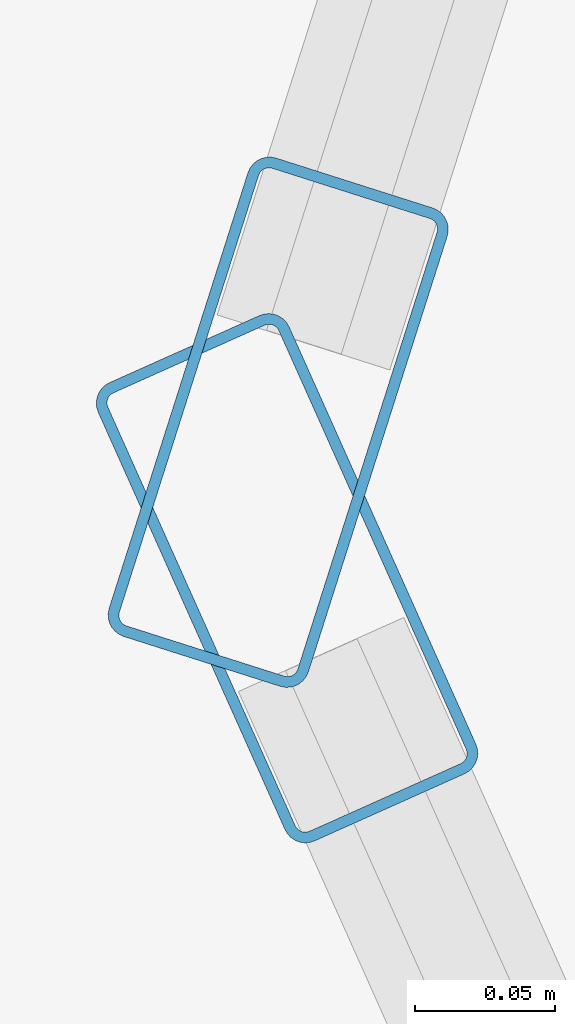
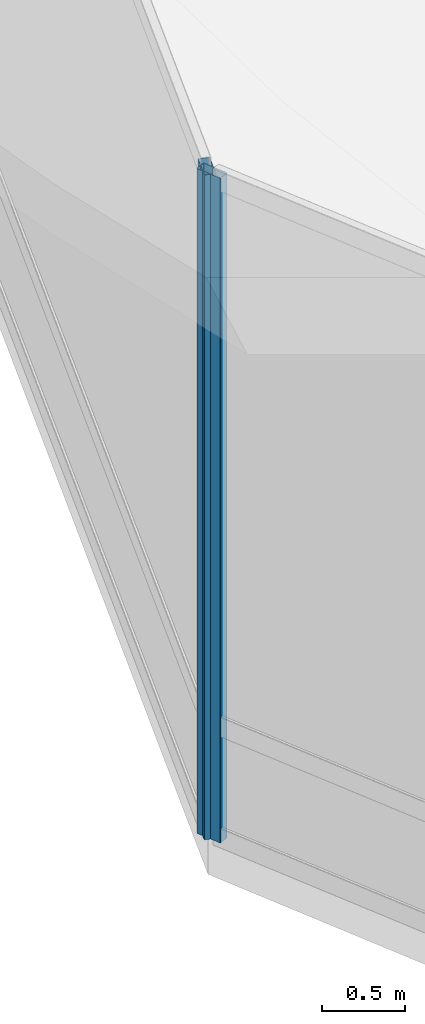
# One storey, part 6 of 19: 2 members, 2 elements without a shape of their own.
"""IFC4 building model written with IfcOpenShell, lengths in metres."""

import ifcopenshell
import ifcopenshell.guid

model = None  # the IFC model being written
_history = None  # IfcOwnerHistory: only IFC2X3 demands one
_inside = {}  # id of a spatial element -> (the spatial element, [elements in it])
_under = {}  # id of a project, library or spatial element -> (it, [spatial elements below it])
_declared = {}  # id of a project -> (the project, [libraries it declares])
_typed = {}  # id of a type object -> (the type object, [elements of that type])
_made_of = {}  # id of a material, layer set ... -> (it, [elements and type objects made of it])


def new_model(schema):
    """Start an empty IFC model of exactly this schema.

    Asked for "IFC4X3", IfcOpenShell would pick the latest addendum, in which some entities
    have other attributes; the version numbers below select the first issue.
    IFC2X3 requires an IfcOwnerHistory on every rooted entity: one is made here for all.
    """
    global model, _history
    if schema == "IFC4X3":
        model = ifcopenshell.file(schema_version=(4, 3, 0, 0))
    else:
        model = ifcopenshell.file(schema=schema)
    _inside.clear()
    _under.clear()
    _declared.clear()
    _typed.clear()
    _made_of.clear()
    _history = None
    if model.schema == "IFC2X3":
        org = make("IfcOrganization", Name="unknown")
        user = make(
            "IfcPersonAndOrganization",
            ThePerson=make("IfcPerson", FamilyName="unknown"),
            TheOrganization=org,
        )
        app = make(
            "IfcApplication",
            ApplicationDeveloper=org,
            Version="unknown",
            ApplicationFullName="unknown",
            ApplicationIdentifier="unknown",
        )
        _history = make(
            "IfcOwnerHistory",
            OwningUser=user,
            OwningApplication=app,
            ChangeAction="ADDED",
            CreationDate=0,
        )
    return model


def make(cls, **values):
    """One entity of the class cls with the attributes given. An attribute that is None is left unset."""
    return model.create_entity(
        cls, **{name: value for name, value in values.items() if value is not None}
    )


def rooted(cls, **values):
    """An entity with a GlobalId (a new one), such as an element, a storey or a relation."""
    return make(cls, GlobalId=ifcopenshell.guid.new(), OwnerHistory=_history, **values)


def si_unit(unit_type, name, prefix=None):
    """IfcSIUnit, for example si_unit("LENGTHUNIT", "METRE", prefix="MILLI")."""
    return make("IfcSIUnit", UnitType=unit_type, Prefix=prefix, Name=name)


def assignment(units):
    """IfcUnitAssignment: the units of a project."""
    return None if units is None else make("IfcUnitAssignment", Units=units)


def point(xyz):
    """IfcCartesianPoint."""
    return None if xyz is None else make("IfcCartesianPoint", Coordinates=xyz)


def direction(xyz):
    """IfcDirection."""
    return None if xyz is None else make("IfcDirection", DirectionRatios=xyz)


def frame(location, z_axis=None, x_axis=None):
    """IfcAxis2Placement3D, a coordinate frame: its origin and axes. An axis left out is left unset."""
    return make(
        "IfcAxis2Placement3D",
        Location=point(location),
        Axis=direction(z_axis),
        RefDirection=direction(x_axis),
    )


def frame_2d(location, x_axis=None):
    """IfcAxis2Placement2D, a coordinate frame in the plane: its origin and x axis."""
    return make(
        "IfcAxis2Placement2D", Location=point(location), RefDirection=direction(x_axis)
    )


def origin():
    """The frame at (0, 0, 0) with its axes left unset."""
    return frame((0.0, 0.0, 0.0))


def origin_2d():
    """The frame at (0, 0) in the plane with its x axis left unset."""
    return frame_2d((0.0, 0.0))


def place(relative_to, where):
    """IfcLocalPlacement: puts the frame where relative to a parent placement (None: the world)."""
    return make(
        "IfcLocalPlacement", PlacementRelTo=relative_to, RelativePlacement=where
    )


def context(
    kind, dimensions, precision=None, world=None, true_north=None, identifier=None
):
    """IfcGeometricRepresentationContext, for example the 3D "Model" context."""
    return make(
        "IfcGeometricRepresentationContext",
        ContextIdentifier=identifier,
        ContextType=kind,
        CoordinateSpaceDimension=dimensions,
        Precision=precision,
        WorldCoordinateSystem=world,
        TrueNorth=true_north,
    )


def subcontext(parent, identifier, kind, view, scale=None):
    """IfcGeometricRepresentationSubContext, for example "Body" below "Model"."""
    return make(
        "IfcGeometricRepresentationSubContext",
        ContextIdentifier=identifier,
        ContextType=kind,
        ParentContext=parent,
        TargetScale=scale,
        TargetView=view,
    )


def project(units=None, contexts=None):
    """IfcProject with its units and contexts."""
    return rooted(
        "IfcProject",
        Name="project",
        RepresentationContexts=contexts,
        UnitsInContext=assignment(units),
    )


def spatial(cls, under=None, at=None, **own):
    """A site, building, storey or space (cls), placed at a placement, below another one or the project."""
    s = rooted(cls, ObjectPlacement=at, **own)
    if under is not None:
        _under.setdefault(under.id(), (under, []))[1].append(s)
    return s


def profile(cls, at=None, kind="AREA", **sizes):
    """A parametric profile (cls). Its sizes go by their IFC names, for example OverallWidth=200.0."""
    return make(cls, ProfileType=kind, Position=at, **sizes)


def hollow_rectangle(**sizes):
    """IfcRectangleHollowProfileDef."""
    return profile("IfcRectangleHollowProfileDef", **sizes)


def extrude(swept, where, along, depth):
    """IfcExtrudedAreaSolid: the profile swept, set in the frame where, extruded along a direction by depth."""
    return make(
        "IfcExtrudedAreaSolid",
        SweptArea=swept,
        Position=where,
        ExtrudedDirection=direction(along),
        Depth=depth,
    )


def shape(context_of_items, identifier, shape_type, items):
    """IfcShapeRepresentation: the items that make up one representation, for example the "Body"."""
    return make(
        "IfcShapeRepresentation",
        ContextOfItems=context_of_items,
        RepresentationIdentifier=identifier,
        RepresentationType=shape_type,
        Items=items,
    )


def material(Name=None, Category=None):
    """IfcMaterial."""
    return make("IfcMaterial", Name=Name, Category=Category)


def layer(
    of_material, thickness, ventilated=None, Name=None, Category=None, Priority=None
):
    """IfcMaterialLayer: one layer of a wall or slab, of a material (None: an air gap)."""
    return make(
        "IfcMaterialLayer",
        Material=of_material,
        LayerThickness=thickness,
        IsVentilated=ventilated,
        Name=Name,
        Category=Category,
        Priority=Priority,
    )


def layer_set(layers, Name=None):
    """IfcMaterialLayerSet."""
    return make("IfcMaterialLayerSet", MaterialLayers=layers, LayerSetName=Name)


def material_profile(
    of_material, cross_section, Name=None, Category=None, Priority=None
):
    """IfcMaterialProfile: a cross section and its material."""
    return make(
        "IfcMaterialProfile",
        Name=Name,
        Material=of_material,
        Profile=cross_section,
        Priority=Priority,
        Category=Category,
    )


def profile_set(profiles, Name=None, composite=None):
    """IfcMaterialProfileSet."""
    return make(
        "IfcMaterialProfileSet",
        Name=Name,
        MaterialProfiles=profiles,
        CompositeProfile=composite,
    )


def made_of(thing, what):
    """Note that an element or type object is made of a material, layer set ...; save() writes the relation."""
    if what is not None:
        _made_of.setdefault(what.id(), (what, []))[1].append(thing)
    return thing


def type_object(cls, material=None, **own):
    """A type object (cls), such as IfcWallType, which elements share."""
    return made_of(rooted(cls, **own), material)


def element(
    cls,
    number,
    at=None,
    inside=None,
    cuts=None,
    type_object=None,
    material=None,
    context=None,
    identifier="Body",
    shape_type=None,
    held_by="IfcProductDefinitionShape",
    body=None,
    shapes=None,
    **own,
):
    """One element of the class cls, such as IfcWall. Its Tag is "e" and its number.

    at: its placement. inside: the storey or other place that contains it. cuts: it is an
    opening in that element (IfcRelVoidsElement). A single representation is given by context,
    identifier, shape_type and body (its items); several are given by shapes. held_by: the class
    of the entity that holds the representations. save() writes the other relations.
    """
    e = rooted(cls, Tag="e%d" % number, ObjectPlacement=at, **own)
    if body is not None:
        shapes = [shape(context, identifier, shape_type, body)]
    if shapes is not None:
        e.Representation = make(held_by, Representations=shapes)
    if inside is not None:
        _inside.setdefault(inside.id(), (inside, []))[1].append(e)
    if cuts is not None:
        rooted(
            "IfcRelVoidsElement", RelatingBuildingElement=cuts, RelatedOpeningElement=e
        )
    if type_object is not None:
        _typed.setdefault(type_object.id(), (type_object, []))[1].append(e)
    return made_of(e, material)


def aggregate(whole, parts):
    """IfcRelAggregates: a whole, such as a stair, and the parts it consists of."""
    return rooted("IfcRelAggregates", RelatingObject=whole, RelatedObjects=parts)


def save(model, path):
    """Write the relations noted so far, then the file.

    IfcRelAggregates (storeys below a building ...), IfcRelContainedInSpatialStructure (elements
    in a storey), IfcRelDefinesByType, IfcRelAssociatesMaterial and IfcRelDeclares: one each for
    every whole, place, type object, material and project.
    """
    for whole, parts in _under.values():
        aggregate(whole, parts)
    for where, things in _inside.values():
        rooted(
            "IfcRelContainedInSpatialStructure",
            RelatedElements=things,
            RelatingStructure=where,
        )
    for kind, things in _typed.values():
        rooted("IfcRelDefinesByType", RelatedObjects=things, RelatingType=kind)
    for what, things in _made_of.values():
        rooted("IfcRelAssociatesMaterial", RelatedObjects=things, RelatingMaterial=what)
    for by, libraries in _declared.values():
        rooted("IfcRelDeclares", RelatingContext=by, RelatedDefinitions=libraries)
    model.write(path)


model = new_model("IFC4")

# Units and contexts
model_context = context("Model", 3, precision=1e-05, world=origin(), true_north=direction((0.0, 1.0)))
body_context = subcontext(model_context, "Body", "Model", "MODEL_VIEW")
ifc_project = project(units=[si_unit("LENGTHUNIT", "METRE"), si_unit("AREAUNIT", "SQUARE_METRE"), si_unit("VOLUMEUNIT", "CUBIC_METRE"), si_unit("PLANEANGLEUNIT", "RADIAN"), si_unit("MASSUNIT", "GRAM", prefix="KILO")], contexts=[model_context])

# Site, building, storey
site_placement = place(None, origin())
site = spatial("IfcSite", under=ifc_project, at=site_placement, CompositionType="ELEMENT")
building_placement = place(site_placement, origin())
building = spatial("IfcBuilding", under=site, at=building_placement, Name="Solvaryn Broadcast Tower", CompositionType="ELEMENT")
storey_placement = place(building_placement, frame((0.0, 0.0, 302.60009765625)))
storey = spatial("IfcBuildingStorey", under=building, at=storey_placement, Name="L76", CompositionType="ELEMENT", Elevation=302.60009765625)

# Curtain wall, member
ifc_material_1 = material(Name="Aluminium and Terracotta Unitised Curtain Wall", Category="masonry")
ifc_layer = layer(ifc_material_1, 0.260009765625)
ifc_layer_set = layer_set([ifc_layer], Name="CW-SYS5-DAMPER")
curtain_wall_type = type_object("IfcCurtainWallType", Name="CW-SYS5-DAMPER", PredefinedType="NOTDEFINED", material=ifc_layer_set)
curtain_wall_1_placement = place(storey_placement, origin())
curtain_wall_1 = element("IfcCurtainWall", 1, at=curtain_wall_1_placement, inside=storey, type_object=curtain_wall_type, Name="L76 Curtain Wall DR1", PredefinedType="NOTDEFINED")
ifc_material_2 = material(Name="Anodised Aluminium 6063-T6", Category="aluminium")
ifc_material_profile = material_profile(ifc_material_2, hollow_rectangle(XDim=0.074951171875, YDim=0.179931640625, WallThickness=0.00390625, InnerFilletRadius=0.00390625, OuterFilletRadius=0.008056640625, at=origin_2d()))
ifc_profile_set = profile_set([ifc_material_profile], Name="Anodised Aluminium 6063-T6")
member_type = type_object("IfcMemberType", Name="CW-MUL-180", PredefinedType="MULLION", material=ifc_profile_set)
member_1_placement = place(storey_placement, frame((3.7470703125, 26.66455078125, 0.0), z_axis=(0.0, 0.0, 1.0), x_axis=(0.952794594701, -0.30361564569, 0.0)))
member_1 = element("IfcMember", 2, at=member_1_placement, type_object=member_type, Name="CWS5 mullion 3", PredefinedType="MULLION", context=body_context, shape_type="SweptSolid", body=[
    extrude(hollow_rectangle(XDim=0.074951171875, YDim=0.179931640625, WallThickness=0.00390625, InnerFilletRadius=0.00390625, OuterFilletRadius=0.008056640625, at=origin_2d()), origin(), (0.0, 0.0, 1.0), 4.89990234375),
])
aggregate(curtain_wall_1, [member_1])

curtain_wall_2_placement = place(storey_placement, origin())
curtain_wall_2 = element("IfcCurtainWall", 3, at=curtain_wall_2_placement, inside=storey, type_object=curtain_wall_type, Name="L76 Curtain Wall DR2", PredefinedType="NOTDEFINED")
member_2_placement = place(storey_placement, frame((3.750244140625, 26.608642578125, 0.0), z_axis=(0.0, 0.0, 1.0), x_axis=(0.912773530574, 0.408466010682, 0.0)))
member_2 = element("IfcMember", 4, at=member_2_placement, type_object=member_type, Name="CWS5 mullion 1", PredefinedType="MULLION", context=body_context, shape_type="SweptSolid", body=[
    extrude(hollow_rectangle(XDim=0.074951171875, YDim=0.179931640625, WallThickness=0.00390625, InnerFilletRadius=0.00390625, OuterFilletRadius=0.008056640625, at=origin_2d()), origin(), (0.0, 0.0, 1.0), 4.89990234375),
])
aggregate(curtain_wall_2, [member_2])

save(model, "model.ifc")
